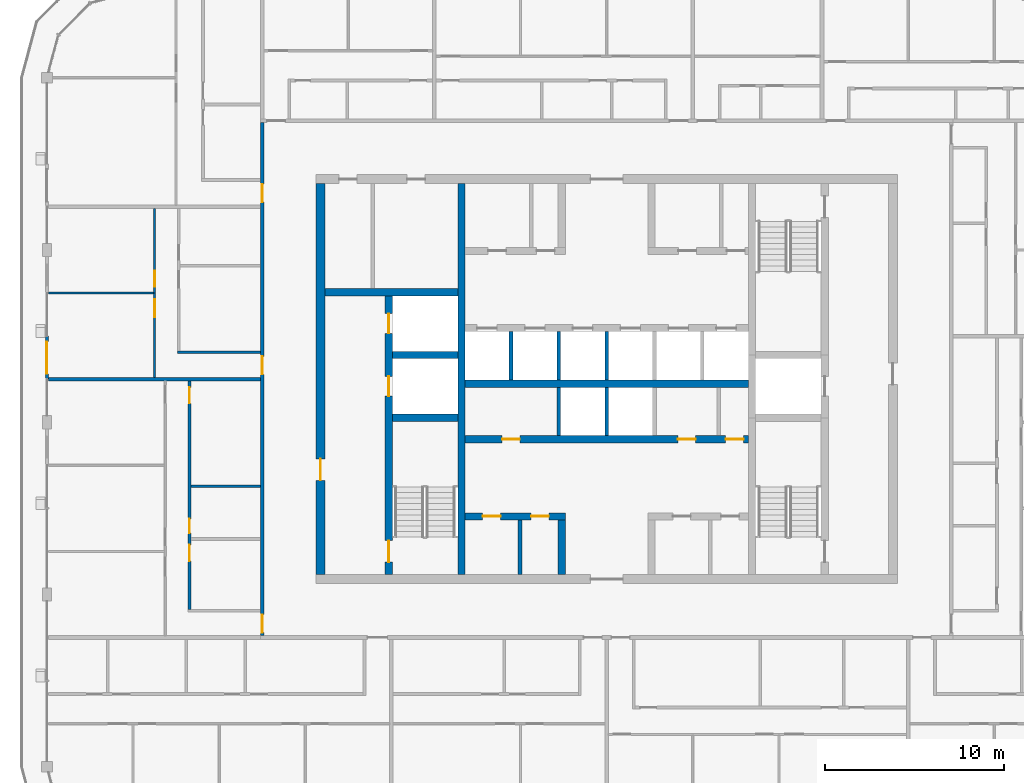
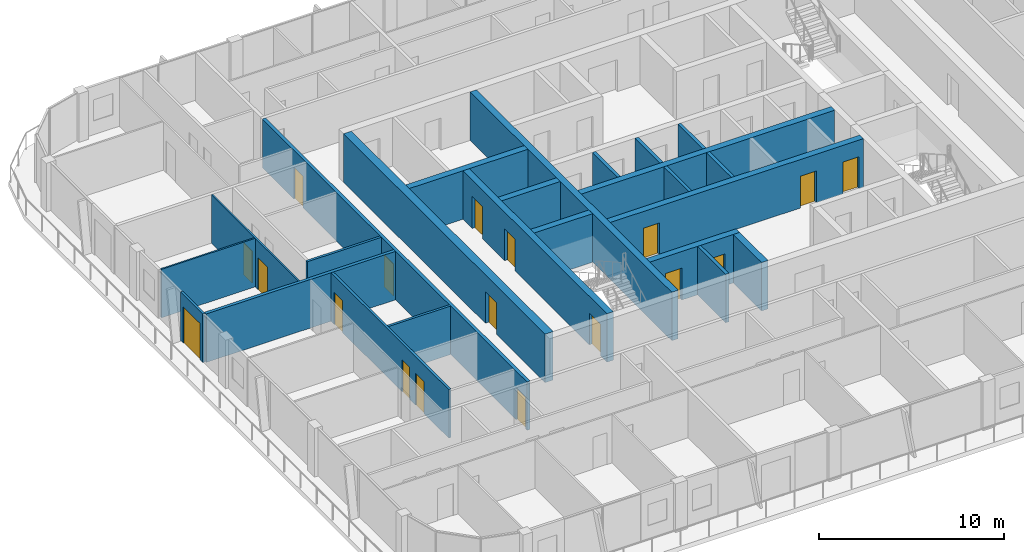
# One storey, part 10 of 21: 24 walls, 18 doors, 18 openings.
"""IFC4 building model written with IfcOpenShell, lengths in metres."""

from ifc_helpers import new_model, si_unit, direction, frame, frame_2d, origin, place, context, subcontext, project, spatial, rectangle, extrude, material, layer, layer_set, type_object, element, fill, save


model = new_model("IFC4")

# Units and contexts
model_context = context("Model", 3, precision=1e-05, world=origin(), true_north=direction((0.0, 1.0)))
body_context = subcontext(model_context, "Body", "Model", "MODEL_VIEW")
ifc_project = project(units=[si_unit("LENGTHUNIT", "METRE"), si_unit("AREAUNIT", "SQUARE_METRE"), si_unit("VOLUMEUNIT", "CUBIC_METRE"), si_unit("PLANEANGLEUNIT", "RADIAN"), si_unit("MASSUNIT", "GRAM", prefix="KILO")], contexts=[model_context])

# Site, building, storey
site_placement = place(None, origin())
site = spatial("IfcSite", under=ifc_project, at=site_placement, CompositionType="ELEMENT")
building_placement = place(site_placement, origin())
building = spatial("IfcBuilding", under=site, at=building_placement, Name="Madar Terraces", CompositionType="ELEMENT")
storey_placement = place(building_placement, frame((0.0, 0.0, 272.10009765625)))
storey = spatial("IfcBuildingStorey", under=building, at=storey_placement, Name="L71", CompositionType="ELEMENT", Elevation=272.10009765625)

# Wall, openings, doors
ifc_material_1 = material(Name="Concrete C50/60", Category="concrete")
ifc_layer_1 = layer(ifc_material_1, 0.39990234375)
ifc_layer_set_1 = layer_set([ifc_layer_1], Name="Concrete C50/60 (CIW6 RC wall 400)")
wall_type_1 = type_object("IfcWallType", Name="CIW6 RC wall 400", PredefinedType="SHEAR", material=ifc_layer_set_1)
wall_1_placement = place(storey_placement, frame((19.050048828125, 15.5, 0.0), z_axis=(0.0, 0.0, 1.0), x_axis=(0.0, 1.0, 0.0)))
wall_1 = element("IfcWall", 1, at=wall_1_placement, inside=storey, type_object=wall_type_1, Name="CORE SHAFT WALL", PredefinedType="SHEAR", context=body_context, shape_type="SweptSolid", body=[
    extrude(rectangle(XDim=15.550048828125, YDim=0.39990234375, at=frame_2d((7.77490234375, 0.0))), origin(), (0.0, 0.0, 1.0), 3.199951171875),
])
opening_1_placement = place(wall_1_placement, frame((9.949951171875, 0.0, 0.0)))
opening_1 = element("IfcOpeningElement", 2, at=opening_1_placement, cuts=wall_1, Name="Opening LD", PredefinedType="OPENING", context=body_context, shape_type="SweptSolid", body=[
    extrude(rectangle(XDim=1.10009765625, YDim=2.10009765625, at=frame_2d((0.550048828125, 1.050048828125))), frame((0.0, 0.2099609375, 0.0), z_axis=(0.0, -1.0, 0.0), x_axis=(1.0, 0.0, 0.0)), (0.0, 0.0, 1.0), 0.419921875),
])
opening_2_placement = place(wall_1_placement, frame((13.449951171875, 0.0, 0.0)))
opening_2 = element("IfcOpeningElement", 3, at=opening_2_placement, cuts=wall_1, Name="Opening LD", PredefinedType="OPENING", context=body_context, shape_type="SweptSolid", body=[
    extrude(rectangle(XDim=1.10009765625, YDim=2.10009765625, at=frame_2d((0.550048828125, 1.050048828125))), frame((0.0, 0.2099609375, 0.0), z_axis=(0.0, -1.0, 0.0), x_axis=(1.0, 0.0, 0.0)), (0.0, 0.0, 1.0), 0.419921875),
])
opening_3_placement = place(wall_1_placement, frame((0.699951171875, 0.0, 0.0)))
opening_3 = element("IfcOpeningElement", 4, at=opening_3_placement, cuts=wall_1, Name="Opening SD1", PredefinedType="OPENING", context=body_context, shape_type="SweptSolid", body=[
    extrude(rectangle(XDim=1.199951171875, YDim=2.10009765625, at=frame_2d((0.60009765625, 1.050048828125))), frame((0.0, 0.2099609375, 0.0), z_axis=(0.0, -1.0, 0.0), x_axis=(1.0, 0.0, 0.0)), (0.0, 0.0, 1.0), 0.419921875),
])
ifc_material_2 = material(Name="Stainless steel panel", Category="steel")
door_type_1 = type_object("IfcDoorType", Name="Lift landing door 1100 x 2100", OperationType="DOUBLE_DOOR_SLIDING", PredefinedType="DOOR", material=ifc_material_2)
door_1_placement = place(opening_1_placement, origin())
door_1 = element("IfcDoor", 5, at=door_1_placement, inside=storey, type_object=door_type_1, Name="LIFT LANDING DOOR", OperationType="DOUBLE_DOOR_SLIDING", OverallHeight=2.10009765625, OverallWidth=1.10009765625, PredefinedType="DOOR", context=body_context, shape_type="SweptSolid", body=[
    extrude(rectangle(XDim=1.10009765625, YDim=2.10009765625, at=frame_2d((0.550048828125, 1.050048828125))), frame((0.0, 0.02490234375, 0.0), z_axis=(0.0, -1.0, 0.0), x_axis=(1.0, 0.0, 0.0)), (0.0, 0.0, 1.0), 0.050048828125),
])
fill(opening_1, door_1)
door_2_placement = place(opening_2_placement, origin())
door_2 = element("IfcDoor", 6, at=door_2_placement, inside=storey, type_object=door_type_1, Name="LIFT LANDING DOOR", OperationType="DOUBLE_DOOR_SLIDING", OverallHeight=2.10009765625, OverallWidth=1.10009765625, PredefinedType="DOOR", context=body_context, shape_type="SweptSolid", body=[
    extrude(rectangle(XDim=1.10009765625, YDim=2.10009765625, at=frame_2d((0.550048828125, 1.050048828125))), frame((0.0, 0.02490234375, 0.0), z_axis=(0.0, -1.0, 0.0), x_axis=(1.0, 0.0, 0.0)), (0.0, 0.0, 1.0), 0.050048828125),
])
fill(opening_2, door_2)
ifc_material_3 = material(Name="Steel door leaf", Category="steel")
door_type_2 = type_object("IfcDoorType", Name="Stair door 1200 x 2100", OperationType="NOTDEFINED", PredefinedType="DOOR", material=ifc_material_3)
door_3_placement = place(opening_3_placement, frame((1.199951171875, 0.0, 0.0), z_axis=(0.0, 0.0, 1.0), x_axis=(-1.0, 0.0, 0.0)))
door_3 = element("IfcDoor", 7, at=door_3_placement, inside=storey, type_object=door_type_2, Name="STAIR DOOR", OperationType="SINGLE_SWING_LEFT", OverallHeight=2.10009765625, OverallWidth=1.199951171875, PredefinedType="DOOR", context=body_context, shape_type="SweptSolid", body=[
    extrude(rectangle(XDim=1.199951171875, YDim=2.10009765625, at=frame_2d((0.60009765625, 1.050048828125))), frame((0.0, 0.02490234375, 0.0), z_axis=(0.0, -1.0, 0.0), x_axis=(1.0, 0.0, 0.0)), (0.0, 0.0, 1.0), 0.050048828125),
])
fill(opening_3, door_3)

# Walls
wall_2_placement = place(storey_placement, frame((23.10009765625, 15.5, 0.0), z_axis=(0.0, 0.0, 1.0), x_axis=(0.0, 1.0, 0.0)))
element("IfcWall", 8, at=wall_2_placement, inside=storey, type_object=wall_type_1, Name="CORE SHAFT WALL", PredefinedType="SHEAR", context=body_context, shape_type="SweptSolid", body=[
    extrude(rectangle(XDim=21.800048828125, YDim=0.39990234375, at=frame_2d((10.89990234375, 0.0))), origin(), (0.0, 0.0, 1.0), 3.199951171875),
])
for number, where, z_axis, x_axis, name in (
    (9, (19.25, 24.25, 0.0), (0.0, 0.0, 1.0), (1.0, 0.0, 0.0), "CORE SHAFT WALL"),
    (10, (19.25, 27.75, 0.0), (0.0, 0.0, 1.0), (1.0, 0.0, 0.0), "CORE SHAFT WALL"),
):
    element("IfcWall", number, at=place(storey_placement, frame(where, z_axis=z_axis, x_axis=x_axis)), inside=storey, type_object=wall_type_1, Name=name, PredefinedType="SHEAR", context=body_context, shape_type="SweptSolid", body=[
        extrude(rectangle(XDim=3.64990234375, YDim=0.39990234375, at=frame_2d((1.824951171875, 0.0))), origin(), (0.0, 0.0, 1.0), 3.199951171875),
    ])
wall_3_placement = place(storey_placement, frame((15.5, 31.25, 0.0), z_axis=(0.0, 0.0, 1.0), x_axis=(1.0, 0.0, 0.0)))
element("IfcWall", 11, at=wall_3_placement, inside=storey, type_object=wall_type_1, Name="CORE SHAFT WALL", PredefinedType="SHEAR", context=body_context, shape_type="SweptSolid", body=[
    extrude(rectangle(XDim=7.39990234375, YDim=0.39990234375, at=frame_2d((3.699951171875, 0.0))), origin(), (0.0, 0.0, 1.0), 3.199951171875),
])

# Wall, openings, doors
wall_4_placement = place(storey_placement, frame((23.300048828125, 18.75, 0.0), z_axis=(0.0, 0.0, 1.0), x_axis=(1.0, 0.0, 0.0)))
wall_4 = element("IfcWall", 12, at=wall_4_placement, inside=storey, type_object=wall_type_1, Name="CORE SHAFT WALL", PredefinedType="SHEAR", context=body_context, shape_type="SweptSolid", body=[
    extrude(rectangle(XDim=5.599853515625, YDim=0.39990234375, at=frame_2d((2.7998046875, 0.0))), origin(), (0.0, 0.0, 1.0), 3.199951171875),
])
opening_4_placement = place(wall_4_placement, frame((0.98388671875, 0.0, 0.0)))
opening_4 = element("IfcOpeningElement", 13, at=opening_4_placement, cuts=wall_4, Name="Opening KD2", PredefinedType="OPENING", context=body_context, shape_type="SweptSolid", body=[
    extrude(rectangle(XDim=1.0, YDim=2.10009765625, at=frame_2d((0.5, 1.050048828125))), frame((0.0, 0.2099609375, 0.0), z_axis=(0.0, -1.0, 0.0), x_axis=(1.0, 0.0, 0.0)), (0.0, 0.0, 1.0), 0.419921875),
])
opening_5_placement = place(wall_4_placement, frame((3.68408203125, 0.0, 0.0)))
opening_5 = element("IfcOpeningElement", 14, at=opening_5_placement, cuts=wall_4, Name="Opening KD2", PredefinedType="OPENING", context=body_context, shape_type="SweptSolid", body=[
    extrude(rectangle(XDim=1.0, YDim=2.10009765625, at=frame_2d((0.5, 1.050048828125))), frame((0.0, 0.2099609375, 0.0), z_axis=(0.0, -1.0, 0.0), x_axis=(1.0, 0.0, 0.0)), (0.0, 0.0, 1.0), 0.419921875),
])
ifc_material_4 = material(Name="Steel door leaf", Category="steel")
door_type_3 = type_object("IfcDoorType", Name="Service room door 1000 x 2100", OperationType="NOTDEFINED", PredefinedType="DOOR", material=ifc_material_4)
door_4_placement = place(opening_4_placement, origin())
door_4 = element("IfcDoor", 15, at=door_4_placement, inside=storey, type_object=door_type_3, Name="SERVICE ROOM DOOR", OperationType="SINGLE_SWING_LEFT", OverallHeight=2.10009765625, OverallWidth=1.0, PredefinedType="DOOR", context=body_context, shape_type="SweptSolid", body=[
    extrude(rectangle(XDim=1.0, YDim=2.10009765625, at=frame_2d((0.5, 1.050048828125))), frame((0.0, 0.02490234375, 0.0), z_axis=(0.0, -1.0, 0.0), x_axis=(1.0, 0.0, 0.0)), (0.0, 0.0, 1.0), 0.050048828125),
])
fill(opening_4, door_4)
door_5_placement = place(opening_5_placement, origin())
door_5 = element("IfcDoor", 16, at=door_5_placement, inside=storey, type_object=door_type_3, Name="SERVICE ROOM DOOR", OperationType="SINGLE_SWING_RIGHT", OverallHeight=2.10009765625, OverallWidth=1.0, PredefinedType="DOOR", context=body_context, shape_type="SweptSolid", body=[
    extrude(rectangle(XDim=1.0, YDim=2.10009765625, at=frame_2d((0.5, 1.050048828125))), frame((0.0, 0.02490234375, 0.0), z_axis=(0.0, -1.0, 0.0), x_axis=(1.0, 0.0, 0.0)), (0.0, 0.0, 1.0), 0.050048828125),
])
fill(opening_5, door_5)

wall_5_placement = place(storey_placement, frame((23.300048828125, 23.050048828125, 0.0), z_axis=(0.0, 0.0, 1.0), x_axis=(1.0, 0.0, 0.0)))
wall_5 = element("IfcWall", 17, at=wall_5_placement, inside=storey, type_object=wall_type_1, Name="CORE SHAFT WALL", PredefinedType="SHEAR", context=body_context, shape_type="SweptSolid", body=[
    extrude(rectangle(XDim=15.800048828125, YDim=0.39990234375, at=frame_2d((7.89990234375, 0.0))), origin(), (0.0, 0.0, 1.0), 3.199951171875),
])
opening_6_placement = place(wall_5_placement, frame((2.066650390625, 0.0, 0.0)))
opening_6 = element("IfcOpeningElement", 18, at=opening_6_placement, cuts=wall_5, Name="Opening KD2", PredefinedType="OPENING", context=body_context, shape_type="SweptSolid", body=[
    extrude(rectangle(XDim=1.0, YDim=2.10009765625, at=frame_2d((0.5, 1.050048828125))), frame((0.0, 0.2099609375, 0.0), z_axis=(0.0, -1.0, 0.0), x_axis=(1.0, 0.0, 0.0)), (0.0, 0.0, 1.0), 0.419921875),
])
opening_7_placement = place(wall_5_placement, frame((11.862060546875, 0.0, 0.0)))
opening_7 = element("IfcOpeningElement", 19, at=opening_7_placement, cuts=wall_5, Name="Opening KD2", PredefinedType="OPENING", context=body_context, shape_type="SweptSolid", body=[
    extrude(rectangle(XDim=1.0, YDim=2.10009765625, at=frame_2d((0.5, 1.050048828125))), frame((0.0, 0.2099609375, 0.0), z_axis=(0.0, -1.0, 0.0), x_axis=(1.0, 0.0, 0.0)), (0.0, 0.0, 1.0), 0.419921875),
])
opening_8_placement = place(wall_5_placement, frame((14.528564453125, 0.0, 0.0)))
opening_8 = element("IfcOpeningElement", 20, at=opening_8_placement, cuts=wall_5, Name="Opening KD2", PredefinedType="OPENING", context=body_context, shape_type="SweptSolid", body=[
    extrude(rectangle(XDim=1.0, YDim=2.10009765625, at=frame_2d((0.5, 1.050048828125))), frame((0.0, 0.2099609375, 0.0), z_axis=(0.0, -1.0, 0.0), x_axis=(1.0, 0.0, 0.0)), (0.0, 0.0, 1.0), 0.419921875),
])
door_6_placement = place(opening_6_placement, frame((1.0, 0.0, 0.0), z_axis=(0.0, 0.0, 1.0), x_axis=(-1.0, 0.0, 0.0)))
door_6 = element("IfcDoor", 21, at=door_6_placement, inside=storey, type_object=door_type_3, Name="SERVICE ROOM DOOR", OperationType="SINGLE_SWING_RIGHT", OverallHeight=2.10009765625, OverallWidth=1.0, PredefinedType="DOOR", context=body_context, shape_type="SweptSolid", body=[
    extrude(rectangle(XDim=1.0, YDim=2.10009765625, at=frame_2d((0.5, 1.050048828125))), frame((0.0, 0.02490234375, 0.0), z_axis=(0.0, -1.0, 0.0), x_axis=(1.0, 0.0, 0.0)), (0.0, 0.0, 1.0), 0.050048828125),
])
fill(opening_6, door_6)
door_7_placement = place(opening_7_placement, frame((1.0, 0.0, 0.0), z_axis=(0.0, 0.0, 1.0), x_axis=(-1.0, 0.0, 0.0)))
door_7 = element("IfcDoor", 22, at=door_7_placement, inside=storey, type_object=door_type_3, Name="SERVICE ROOM DOOR", OperationType="SINGLE_SWING_LEFT", OverallHeight=2.10009765625, OverallWidth=1.0, PredefinedType="DOOR", context=body_context, shape_type="SweptSolid", body=[
    extrude(rectangle(XDim=1.0, YDim=2.10009765625, at=frame_2d((0.5, 1.050048828125))), frame((0.0, 0.02490234375, 0.0), z_axis=(0.0, -1.0, 0.0), x_axis=(1.0, 0.0, 0.0)), (0.0, 0.0, 1.0), 0.050048828125),
])
fill(opening_7, door_7)
door_8_placement = place(opening_8_placement, frame((1.0, 0.0, 0.0), z_axis=(0.0, 0.0, 1.0), x_axis=(-1.0, 0.0, 0.0)))
door_8 = element("IfcDoor", 23, at=door_8_placement, inside=storey, type_object=door_type_3, Name="SERVICE ROOM DOOR", OperationType="SINGLE_SWING_RIGHT", OverallHeight=2.10009765625, OverallWidth=1.0, PredefinedType="DOOR", context=body_context, shape_type="SweptSolid", body=[
    extrude(rectangle(XDim=1.0, YDim=2.10009765625, at=frame_2d((0.5, 1.050048828125))), frame((0.0, 0.02490234375, 0.0), z_axis=(0.0, -1.0, 0.0), x_axis=(1.0, 0.0, 0.0)), (0.0, 0.0, 1.0), 0.050048828125),
])
fill(opening_8, door_8)

# Walls
wall_6_placement = place(storey_placement, frame((23.300048828125, 26.14990234375, 0.0), z_axis=(0.0, 0.0, 1.0), x_axis=(1.0, 0.0, 0.0)))
element("IfcWall", 24, at=wall_6_placement, inside=storey, type_object=wall_type_1, Name="CORE SHAFT WALL", PredefinedType="SHEAR", context=body_context, shape_type="SweptSolid", body=[
    extrude(rectangle(XDim=15.800048828125, YDim=0.39990234375, at=frame_2d((7.89990234375, 0.0))), origin(), (0.0, 0.0, 1.0), 3.199951171875),
])
wall_7_placement = place(storey_placement, frame((28.699951171875, 15.5, 0.0), z_axis=(0.0, 0.0, 1.0), x_axis=(0.0, 1.0, 0.0)))
element("IfcWall", 25, at=wall_7_placement, inside=storey, type_object=wall_type_1, Name="CORE SHAFT WALL", PredefinedType="SHEAR", context=body_context, shape_type="SweptSolid", body=[
    extrude(rectangle(XDim=3.050048828125, YDim=0.39990234375, at=frame_2d((1.52490234375, 0.0))), origin(), (0.0, 0.0, 1.0), 3.199951171875),
])

# Wall, opening, door
ifc_material_5 = material(Name="Concrete C50/60", Category="concrete")
ifc_layer_2 = layer(ifc_material_5, 0.5)
ifc_layer_set_2 = layer_set([ifc_layer_2], Name="Concrete C50/60 (CRW6 RC wall 500)")
wall_type_2 = type_object("IfcWallType", Name="CRW6 RC wall 500", PredefinedType="SHEAR", material=ifc_layer_set_2)
wall_8_placement = place(storey_placement, frame((15.25, 15.5, 0.0), z_axis=(0.0, 0.0, 1.0), x_axis=(0.0, 1.0, 0.0)))
wall_8 = element("IfcWall", 26, at=wall_8_placement, inside=storey, type_object=wall_type_2, Name="CORE OUTER WALL", PredefinedType="SHEAR", context=body_context, shape_type="SweptSolid", body=[
    extrude(rectangle(XDim=21.800048828125, YDim=0.5, at=frame_2d((10.89990234375, 0.0))), origin(), (0.0, 0.0, 1.0), 3.199951171875),
])
opening_9_placement = place(wall_8_placement, frame((5.260009765625, 0.0, 0.0)))
opening_9 = element("IfcOpeningElement", 27, at=opening_9_placement, cuts=wall_8, Name="Opening SD1", PredefinedType="OPENING", context=body_context, shape_type="SweptSolid", body=[
    extrude(rectangle(XDim=1.199951171875, YDim=2.10009765625, at=frame_2d((0.60009765625, 1.050048828125))), frame((0.0, 0.260009765625, 0.0), z_axis=(0.0, -1.0, 0.0), x_axis=(1.0, 0.0, 0.0)), (0.0, 0.0, 1.0), 0.52001953125),
])
door_9_placement = place(opening_9_placement, frame((1.199951171875, 0.0, 0.0), z_axis=(0.0, 0.0, 1.0), x_axis=(-1.0, 0.0, 0.0)))
door_9 = element("IfcDoor", 28, at=door_9_placement, inside=storey, type_object=door_type_2, Name="STAIR DOOR", OperationType="SINGLE_SWING_RIGHT", OverallHeight=2.10009765625, OverallWidth=1.199951171875, PredefinedType="DOOR", context=body_context, shape_type="SweptSolid", body=[
    extrude(rectangle(XDim=1.199951171875, YDim=2.10009765625, at=frame_2d((0.60009765625, 1.050048828125))), frame((0.0, 0.02490234375, 0.0), z_axis=(0.0, -1.0, 0.0), x_axis=(1.0, 0.0, 0.0)), (0.0, 0.0, 1.0), 0.050048828125),
])
fill(opening_9, door_9)

# Walls
ifc_material_6 = material(Name="Masonry blockwork", Category="masonry")
ifc_layer_3 = layer(ifc_material_6, 0.199951171875)
ifc_layer_set_3 = layer_set([ifc_layer_3], Name="Core partition 200 blockwork")
wall_type_3 = type_object("IfcWallType", Name="Core partition 200 blockwork", PredefinedType="PARTITIONING", material=ifc_layer_set_3)
wall_9_placement = place(storey_placement, frame((26.367919921875, 15.5, 0.0), z_axis=(0.0, 0.0, 1.0), x_axis=(0.0, 1.0, 0.0)))
element("IfcWall", 29, at=wall_9_placement, inside=storey, type_object=wall_type_3, Name="SERVICE ROOM PARTITION", PredefinedType="PARTITIONING", context=body_context, shape_type="SweptSolid", body=[
    extrude(rectangle(XDim=3.050048828125, YDim=0.199951171875, at=frame_2d((1.52490234375, 0.0))), origin(), (0.0, 0.0, 1.0), 3.199951171875),
])
ifc_material_7 = material(Name="Concrete C40/50", Category="concrete")
ifc_layer_4 = layer(ifc_material_7, 0.199951171875)
ifc_layer_set_4 = layer_set([ifc_layer_4], Name="Core shaft dividing wall 200 C40/50")
wall_type_4 = type_object("IfcWallType", Name="Core shaft dividing wall 200 C40/50", PredefinedType="SOLIDWALL", material=ifc_layer_set_4)
for number, where, z_axis, x_axis, name in (
    (30, (25.86669921875, 26.35009765625, 0.0), (0.0, 0.0, 1.0), (0.0, 1.0, 0.0), "SHAFT DIVIDING WALL"),
    (31, (28.533447265625, 23.25, 0.0), (0.0, 0.0, 1.0), (0.0, 1.0, 0.0), "SHAFT DIVIDING WALL"),
    (32, (28.533447265625, 26.35009765625, 0.0), (0.0, 0.0, 1.0), (0.0, 1.0, 0.0), "SHAFT DIVIDING WALL"),
    (33, (31.199951171875, 23.25, 0.0), (0.0, 0.0, 1.0), (0.0, 1.0, 0.0), "SHAFT DIVIDING WALL"),
    (34, (31.199951171875, 26.35009765625, 0.0), (0.0, 0.0, 1.0), (0.0, 1.0, 0.0), "SHAFT DIVIDING WALL"),
):
    element("IfcWall", number, at=place(storey_placement, frame(where, z_axis=z_axis, x_axis=x_axis)), inside=storey, type_object=wall_type_4, Name=name, PredefinedType="SOLIDWALL", context=body_context, shape_type="SweptSolid", body=[
        extrude(rectangle(XDim=2.699951171875, YDim=0.199951171875, at=frame_2d((1.35009765625, 0.0))), origin(), (0.0, 0.0, 1.0), 3.199951171875),
    ])

# Wall, opening, door
ifc_material_8 = material(Name="Aluminium composite panel, black, over insulated backing", Category="aluminium")
ifc_layer_5 = layer(ifc_material_8, 0.14990234375)
ifc_layer_set_5 = layer_set([ifc_layer_5], Name="Facade bay panel 150")
wall_type_5 = type_object("IfcWallType", Name="Facade bay panel 150", PredefinedType="SOLIDWALL", material=ifc_layer_set_5)
wall_10_placement = place(storey_placement, frame((0.0, 28.800048828125, 0.0), z_axis=(0.0, 0.0, 1.0), x_axis=(0.0, -1.0, 0.0)))
wall_10 = element("IfcWall", 35, at=wall_10_placement, inside=storey, type_object=wall_type_5, Name="Facade bay panel", PredefinedType="SOLIDWALL", context=body_context, shape_type="SweptSolid", body=[
    extrude(rectangle(XDim=2.400146484375, YDim=0.14990234375, at=frame_2d((1.2001953125, 0.0))), origin(), (0.0, 0.0, 1.0), 3.199951171875),
])
opening_10_placement = place(wall_10_placement, frame((0.300048828125, 0.0, 0.0)))
opening_10 = element("IfcOpeningElement", 36, at=opening_10_placement, cuts=wall_10, Name="Opening ED1", PredefinedType="OPENING", context=body_context, shape_type="SweptSolid", body=[
    extrude(rectangle(XDim=1.800048828125, YDim=2.39990234375, at=frame_2d((0.89990234375, 1.199951171875))), frame((0.0, 0.0849609375, 0.0), z_axis=(0.0, -1.0, 0.0), x_axis=(1.0, 0.0, 0.0)), (0.0, 0.0, 1.0), 0.169921875),
])
ifc_material_9 = material(Name="Glass, clear, with black aluminium frame", Category="aluminium")
door_type_4 = type_object("IfcDoorType", Name="Balcony and terrace sliding door 1800 x 2400", OperationType="SLIDING_TO_LEFT", PredefinedType="DOOR", material=ifc_material_9)
door_10_placement = place(opening_10_placement, origin())
door_10 = element("IfcDoor", 37, at=door_10_placement, inside=storey, type_object=door_type_4, Name="Balcony door", OperationType="SLIDING_TO_RIGHT", OverallHeight=2.39990234375, OverallWidth=1.800048828125, PredefinedType="DOOR", context=body_context, shape_type="SweptSolid", body=[
    extrude(rectangle(XDim=1.800048828125, YDim=2.39990234375, at=frame_2d((0.89990234375, 1.199951171875))), frame((0.0, 0.02490234375, 0.0), z_axis=(0.0, -1.0, 0.0), x_axis=(1.0, 0.0, 0.0)), (0.0, 0.0, 1.0), 0.050048828125),
])
fill(opening_10, door_10)

# Wall
ifc_material_10 = material(Name="Gypsum board on steel studs", Category="steel")
ifc_layer_6 = layer(ifc_material_10, 0.10009765625)
ifc_layer_set_6 = layer_set([ifc_layer_6], Name="Flat partition 100")
wall_type_6 = type_object("IfcWallType", Name="Flat partition 100", PredefinedType="PARTITIONING", material=ifc_layer_set_6)
wall_11_placement = place(storey_placement, frame((5.949951171875, 31.199951171875, 0.0), z_axis=(0.0, 0.0, 1.0), x_axis=(-1.0, 0.0, 0.0)))
element("IfcWall", 38, at=wall_11_placement, inside=storey, type_object=wall_type_6, Name="Flat partition 100", PredefinedType="PARTITIONING", context=body_context, shape_type="SweptSolid", body=[
    extrude(rectangle(XDim=5.849853515625, YDim=0.10009765625, at=frame_2d((2.9248046875, 0.0))), origin(), (0.0, 0.0, 1.0), 3.199951171875),
])

# Wall, openings, doors
wall_12_placement = place(storey_placement, frame((6.0, 26.5, 0.0), z_axis=(0.0, 0.0, 1.0), x_axis=(0.0, 1.0, 0.0)))
wall_12 = element("IfcWall", 39, at=wall_12_placement, inside=storey, type_object=wall_type_6, Name="Flat partition 100", PredefinedType="PARTITIONING", context=body_context, shape_type="SweptSolid", body=[
    extrude(rectangle(XDim=9.39990234375, YDim=0.10009765625, at=frame_2d((4.699951171875, 0.0))), origin(), (0.0, 0.0, 1.0), 3.199951171875),
])
opening_11_placement = place(wall_12_placement, frame((3.35009765625, 0.0, 0.0)))
opening_11 = element("IfcOpeningElement", 40, at=opening_11_placement, cuts=wall_12, Name="Opening D3", PredefinedType="OPENING", context=body_context, shape_type="SweptSolid", body=[
    extrude(rectangle(XDim=1.0, YDim=2.10009765625, at=frame_2d((0.5, 1.050048828125))), frame((0.0, 0.06005859375, 0.0), z_axis=(0.0, -1.0, 0.0), x_axis=(1.0, 0.0, 0.0)), (0.0, 0.0, 1.0), 0.1201171875),
])
opening_12_placement = place(wall_12_placement, frame((5.050048828125, 0.0, 0.0)))
opening_12 = element("IfcOpeningElement", 41, at=opening_12_placement, cuts=wall_12, Name="Opening D2", PredefinedType="OPENING", context=body_context, shape_type="SweptSolid", body=[
    extrude(rectangle(XDim=0.89990234375, YDim=2.10009765625, at=frame_2d((0.449951171875, 1.050048828125))), frame((0.0, 0.06005859375, 0.0), z_axis=(0.0, -1.0, 0.0), x_axis=(1.0, 0.0, 0.0)), (0.0, 0.0, 1.0), 0.1201171875),
])
ifc_material_11 = material(Name="Timber door leaf", Category="wood")
door_type_5 = type_object("IfcDoorType", Name="Flat living room door 1000", OperationType="NOTDEFINED", PredefinedType="DOOR", material=ifc_material_11)
door_11_placement = place(opening_11_placement, origin())
door_11 = element("IfcDoor", 42, at=door_11_placement, inside=storey, type_object=door_type_5, Name="Flat living room door 1000", OperationType="SINGLE_SWING_RIGHT", OverallHeight=2.10009765625, OverallWidth=1.0, PredefinedType="DOOR", context=body_context, shape_type="SweptSolid", body=[
    extrude(rectangle(XDim=1.0, YDim=2.10009765625, at=frame_2d((0.5, 1.050048828125))), frame((0.0, 0.02490234375, 0.0), z_axis=(0.0, -1.0, 0.0), x_axis=(1.0, 0.0, 0.0)), (0.0, 0.0, 1.0), 0.050048828125),
])
fill(opening_11, door_11)
ifc_material_12 = material(Name="Timber door leaf", Category="wood")
door_type_6 = type_object("IfcDoorType", Name="Flat room door 900", OperationType="NOTDEFINED", PredefinedType="DOOR", material=ifc_material_12)
door_12_placement = place(opening_12_placement, origin())
door_12 = element("IfcDoor", 43, at=door_12_placement, inside=storey, type_object=door_type_6, Name="Flat room door 900", OperationType="SINGLE_SWING_LEFT", OverallHeight=2.10009765625, OverallWidth=0.89990234375, PredefinedType="DOOR", context=body_context, shape_type="SweptSolid", body=[
    extrude(rectangle(XDim=0.89990234375, YDim=2.10009765625, at=frame_2d((0.449951171875, 1.050048828125))), frame((0.0, 0.02490234375, 0.0), z_axis=(0.0, -1.0, 0.0), x_axis=(1.0, 0.0, 0.0)), (0.0, 0.0, 1.0), 0.050048828125),
])
fill(opening_12, door_12)

ifc_material_13 = material(Name="Lightweight blockwork", Category="masonry")
ifc_layer_7 = layer(ifc_material_13, 0.199951171875)
ifc_layer_set_7 = layer_set([ifc_layer_7], Name="Flat party and entrance wall 200")
wall_type_7 = type_object("IfcWallType", Name="Flat party and entrance wall 200", PredefinedType="PARTITIONING", material=ifc_layer_set_7)
wall_13_placement = place(storey_placement, frame((12.0, 12.10009765625, 0.0), z_axis=(0.0, 0.0, 1.0), x_axis=(0.0, 1.0, 0.0)))
wall_13 = element("IfcWall", 44, at=wall_13_placement, inside=storey, type_object=wall_type_7, Name="Flat party and entrance wall 200", PredefinedType="PARTITIONING", context=body_context, shape_type="SweptSolid", body=[
    extrude(rectangle(XDim=28.599853515625, YDim=0.199951171875, at=frame_2d((14.2998046875, 0.0))), origin(), (0.0, 0.0, 1.0), 3.199951171875),
])
opening_13_placement = place(wall_13_placement, frame((24.175048828125, 0.0, 0.0)))
opening_13 = element("IfcOpeningElement", 45, at=opening_13_placement, cuts=wall_13, Name="Opening D1", PredefinedType="OPENING", context=body_context, shape_type="SweptSolid", body=[
    extrude(rectangle(XDim=1.0, YDim=2.10009765625, at=frame_2d((0.5, 1.050048828125))), frame((0.0, 0.10986328125, 0.0), z_axis=(0.0, -1.0, 0.0), x_axis=(1.0, 0.0, 0.0)), (0.0, 0.0, 1.0), 0.219970703125),
])
opening_14_placement = place(wall_13_placement, frame((14.574951171875, 0.0, 0.0)))
opening_14 = element("IfcOpeningElement", 46, at=opening_14_placement, cuts=wall_13, Name="Opening D1", PredefinedType="OPENING", context=body_context, shape_type="SweptSolid", body=[
    extrude(rectangle(XDim=1.0, YDim=2.10009765625, at=frame_2d((0.5, 1.050048828125))), frame((0.0, 0.10986328125, 0.0), z_axis=(0.0, -1.0, 0.0), x_axis=(1.0, 0.0, 0.0)), (0.0, 0.0, 1.0), 0.219970703125),
])
opening_15_placement = place(wall_13_placement, frame((0.175048828125, 0.0, 0.0)))
opening_15 = element("IfcOpeningElement", 47, at=opening_15_placement, cuts=wall_13, Name="Opening D1", PredefinedType="OPENING", context=body_context, shape_type="SweptSolid", body=[
    extrude(rectangle(XDim=1.0, YDim=2.10009765625, at=frame_2d((0.5, 1.050048828125))), frame((0.0, 0.10986328125, 0.0), z_axis=(0.0, -1.0, 0.0), x_axis=(1.0, 0.0, 0.0)), (0.0, 0.0, 1.0), 0.219970703125),
])
ifc_material_14 = material(Name="Timber fire door leaf", Category="wood")
door_type_7 = type_object("IfcDoorType", Name="Flat entrance door 1000 FD30S", OperationType="NOTDEFINED", PredefinedType="DOOR", material=ifc_material_14)
door_13_placement = place(opening_13_placement, origin())
door_13 = element("IfcDoor", 48, at=door_13_placement, inside=storey, type_object=door_type_7, Name="Flat entrance door 1000 FD30S", OperationType="SINGLE_SWING_LEFT", OverallHeight=2.10009765625, OverallWidth=1.0, PredefinedType="DOOR", context=body_context, shape_type="SweptSolid", body=[
    extrude(rectangle(XDim=1.0, YDim=2.10009765625, at=frame_2d((0.5, 1.050048828125))), frame((0.0, 0.02490234375, 0.0), z_axis=(0.0, -1.0, 0.0), x_axis=(1.0, 0.0, 0.0)), (0.0, 0.0, 1.0), 0.050048828125),
])
fill(opening_13, door_13)
door_14_placement = place(opening_14_placement, origin())
door_14 = element("IfcDoor", 49, at=door_14_placement, inside=storey, type_object=door_type_7, Name="Flat entrance door 1000 FD30S", OperationType="SINGLE_SWING_LEFT", OverallHeight=2.10009765625, OverallWidth=1.0, PredefinedType="DOOR", context=body_context, shape_type="SweptSolid", body=[
    extrude(rectangle(XDim=1.0, YDim=2.10009765625, at=frame_2d((0.5, 1.050048828125))), frame((0.0, 0.02490234375, 0.0), z_axis=(0.0, -1.0, 0.0), x_axis=(1.0, 0.0, 0.0)), (0.0, 0.0, 1.0), 0.050048828125),
])
fill(opening_14, door_14)
door_15_placement = place(opening_15_placement, origin())
door_15 = element("IfcDoor", 50, at=door_15_placement, inside=storey, type_object=door_type_7, Name="Flat entrance door 1000 FD30S", OperationType="SINGLE_SWING_LEFT", OverallHeight=2.10009765625, OverallWidth=1.0, PredefinedType="DOOR", context=body_context, shape_type="SweptSolid", body=[
    extrude(rectangle(XDim=1.0, YDim=2.10009765625, at=frame_2d((0.5, 1.050048828125))), frame((0.0, 0.02490234375, 0.0), z_axis=(0.0, -1.0, 0.0), x_axis=(1.0, 0.0, 0.0)), (0.0, 0.0, 1.0), 0.050048828125),
])
fill(opening_15, door_15)

# Walls
wall_14_placement = place(storey_placement, frame((0.10009765625, 26.39990234375, 0.0), z_axis=(0.0, 0.0, 1.0), x_axis=(1.0, 0.0, 0.0)))
element("IfcWall", 51, at=wall_14_placement, inside=storey, type_object=wall_type_7, Name="Flat party and entrance wall 200", PredefinedType="PARTITIONING", context=body_context, shape_type="SweptSolid", body=[
    extrude(rectangle(XDim=11.7998046875, YDim=0.199951171875, at=frame_2d((5.89990234375, 0.0))), origin(), (0.0, 0.0, 1.0), 3.199951171875),
])
ifc_material_15 = material(Name="Lightweight blockwork", Category="masonry")
ifc_layer_8 = layer(ifc_material_15, 0.14990234375)
ifc_layer_set_8 = layer_set([ifc_layer_8], Name="Flat wet-room partition 150")
wall_type_8 = type_object("IfcWallType", Name="Flat wet-room partition 150", PredefinedType="PARTITIONING", material=ifc_layer_set_8)
wall_15_placement = place(storey_placement, frame((11.89990234375, 27.89990234375, 0.0), z_axis=(0.0, 0.0, 1.0), x_axis=(-1.0, 0.0, 0.0)))
element("IfcWall", 52, at=wall_15_placement, inside=storey, type_object=wall_type_8, Name="Flat wet-room partition 150", PredefinedType="PARTITIONING", context=body_context, shape_type="SweptSolid", body=[
    extrude(rectangle(XDim=4.625, YDim=0.14990234375, at=frame_2d((2.3125, 0.0))), origin(), (0.0, 0.0, 1.0), 3.199951171875),
])
wall_16_placement = place(storey_placement, frame((11.89990234375, 20.427001953125, 0.0), z_axis=(0.0, 0.0, 1.0), x_axis=(-1.0, 0.0, 0.0)))
element("IfcWall", 53, at=wall_16_placement, inside=storey, type_object=wall_type_8, Name="Flat wet-room partition 150", PredefinedType="PARTITIONING", context=body_context, shape_type="SweptSolid", body=[
    extrude(rectangle(XDim=3.875, YDim=0.14990234375, at=frame_2d((1.9375, 0.0))), origin(), (0.0, 0.0, 1.0), 3.199951171875),
])

# Wall, openings, doors
wall_17_placement = place(storey_placement, frame((7.949951171875, 26.300048828125, 0.0), z_axis=(0.0, 0.0, 1.0), x_axis=(0.0, -1.0, 0.0)))
wall_17 = element("IfcWall", 54, at=wall_17_placement, inside=storey, type_object=wall_type_8, Name="Flat wet-room partition 150", PredefinedType="PARTITIONING", context=body_context, shape_type="SweptSolid", body=[
    extrude(rectangle(XDim=12.72509765625, YDim=0.14990234375, at=frame_2d((6.362548828125, 0.0))), origin(), (0.0, 0.0, 1.0), 3.199951171875),
])
opening_16_placement = place(wall_17_placement, frame((9.134521484375, 0.0, 0.0)))
opening_16 = element("IfcOpeningElement", 55, at=opening_16_placement, cuts=wall_17, Name="Opening D5", PredefinedType="OPENING", context=body_context, shape_type="SweptSolid", body=[
    extrude(rectangle(XDim=0.89990234375, YDim=2.10009765625, at=frame_2d((0.449951171875, 1.050048828125))), frame((0.0, 0.0849609375, 0.0), z_axis=(0.0, -1.0, 0.0), x_axis=(1.0, 0.0, 0.0)), (0.0, 0.0, 1.0), 0.169921875),
])
opening_17_placement = place(wall_17_placement, frame((7.6845703125, 0.0, 0.0)))
opening_17 = element("IfcOpeningElement", 56, at=opening_17_placement, cuts=wall_17, Name="Opening D4", PredefinedType="OPENING", context=body_context, shape_type="SweptSolid", body=[
    extrude(rectangle(XDim=0.800048828125, YDim=2.10009765625, at=frame_2d((0.39990234375, 1.050048828125))), frame((0.0, 0.0849609375, 0.0), z_axis=(0.0, -1.0, 0.0), x_axis=(1.0, 0.0, 0.0)), (0.0, 0.0, 1.0), 0.169921875),
])
opening_18_placement = place(wall_17_placement, frame((0.35009765625, 0.0, 0.0)))
opening_18 = element("IfcOpeningElement", 57, at=opening_18_placement, cuts=wall_17, Name="Opening D2", PredefinedType="OPENING", context=body_context, shape_type="SweptSolid", body=[
    extrude(rectangle(XDim=0.89990234375, YDim=2.10009765625, at=frame_2d((0.449951171875, 1.050048828125))), frame((0.0, 0.0849609375, 0.0), z_axis=(0.0, -1.0, 0.0), x_axis=(1.0, 0.0, 0.0)), (0.0, 0.0, 1.0), 0.169921875),
])
ifc_material_16 = material(Name="Timber door leaf", Category="wood")
door_type_8 = type_object("IfcDoorType", Name="Flat accessible bathroom door 900", OperationType="NOTDEFINED", PredefinedType="DOOR", material=ifc_material_16)
door_16_placement = place(opening_16_placement, origin())
door_16 = element("IfcDoor", 58, at=door_16_placement, inside=storey, type_object=door_type_8, Name="Flat accessible bathroom door 900", OperationType="SINGLE_SWING_LEFT", OverallHeight=2.10009765625, OverallWidth=0.89990234375, PredefinedType="DOOR", context=body_context, shape_type="SweptSolid", body=[
    extrude(rectangle(XDim=0.89990234375, YDim=2.10009765625, at=frame_2d((0.449951171875, 1.050048828125))), frame((0.0, 0.02490234375, 0.0), z_axis=(0.0, -1.0, 0.0), x_axis=(1.0, 0.0, 0.0)), (0.0, 0.0, 1.0), 0.050048828125),
])
fill(opening_16, door_16)
ifc_material_17 = material(Name="Timber door leaf", Category="wood")
door_type_9 = type_object("IfcDoorType", Name="Flat bathroom door 800", OperationType="NOTDEFINED", PredefinedType="DOOR", material=ifc_material_17)
door_17_placement = place(opening_17_placement, origin())
door_17 = element("IfcDoor", 59, at=door_17_placement, inside=storey, type_object=door_type_9, Name="Flat bathroom door 800", OperationType="SINGLE_SWING_RIGHT", OverallHeight=2.10009765625, OverallWidth=0.800048828125, PredefinedType="DOOR", context=body_context, shape_type="SweptSolid", body=[
    extrude(rectangle(XDim=0.800048828125, YDim=2.10009765625, at=frame_2d((0.39990234375, 1.050048828125))), frame((0.0, 0.02490234375, 0.0), z_axis=(0.0, -1.0, 0.0), x_axis=(1.0, 0.0, 0.0)), (0.0, 0.0, 1.0), 0.050048828125),
])
fill(opening_17, door_17)
door_18_placement = place(opening_18_placement, origin())
door_18 = element("IfcDoor", 60, at=door_18_placement, inside=storey, type_object=door_type_6, Name="Flat room door 900", OperationType="SINGLE_SWING_LEFT", OverallHeight=2.10009765625, OverallWidth=0.89990234375, PredefinedType="DOOR", context=body_context, shape_type="SweptSolid", body=[
    extrude(rectangle(XDim=0.89990234375, YDim=2.10009765625, at=frame_2d((0.449951171875, 1.050048828125))), frame((0.0, 0.02490234375, 0.0), z_axis=(0.0, -1.0, 0.0), x_axis=(1.0, 0.0, 0.0)), (0.0, 0.0, 1.0), 0.050048828125),
])
fill(opening_18, door_18)

save(model, "model.ifc")
